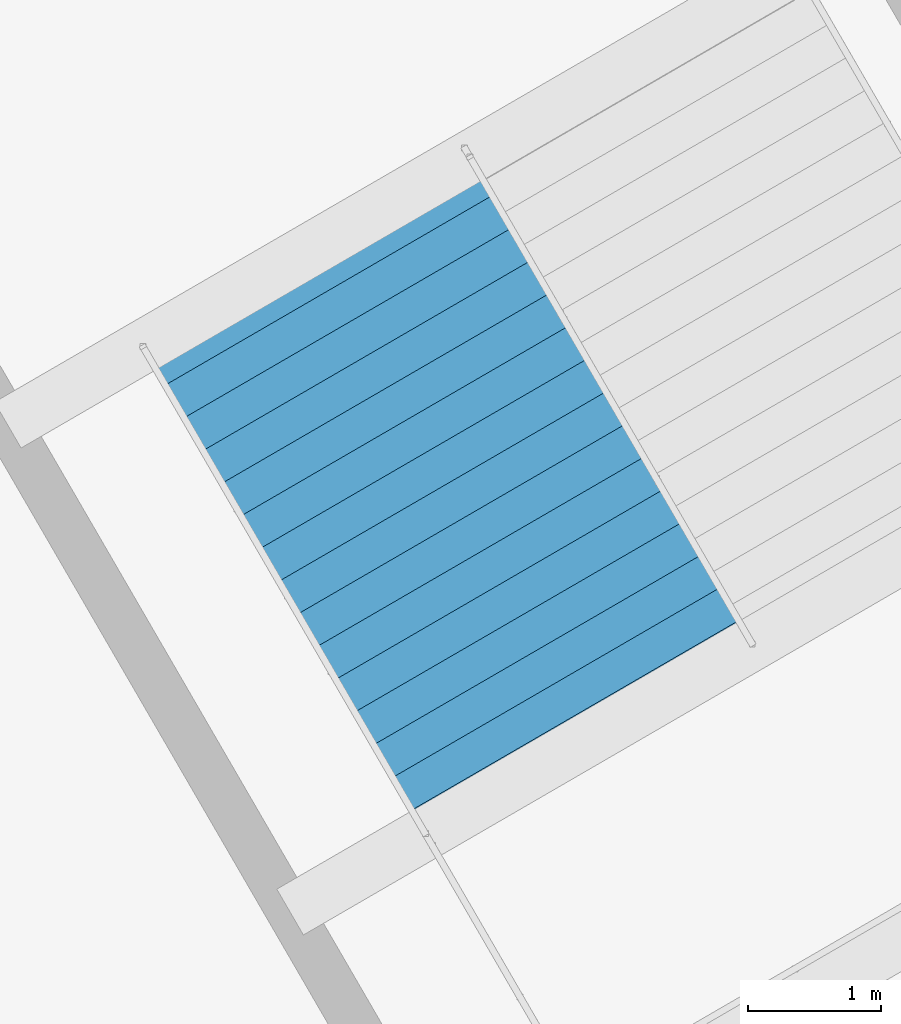
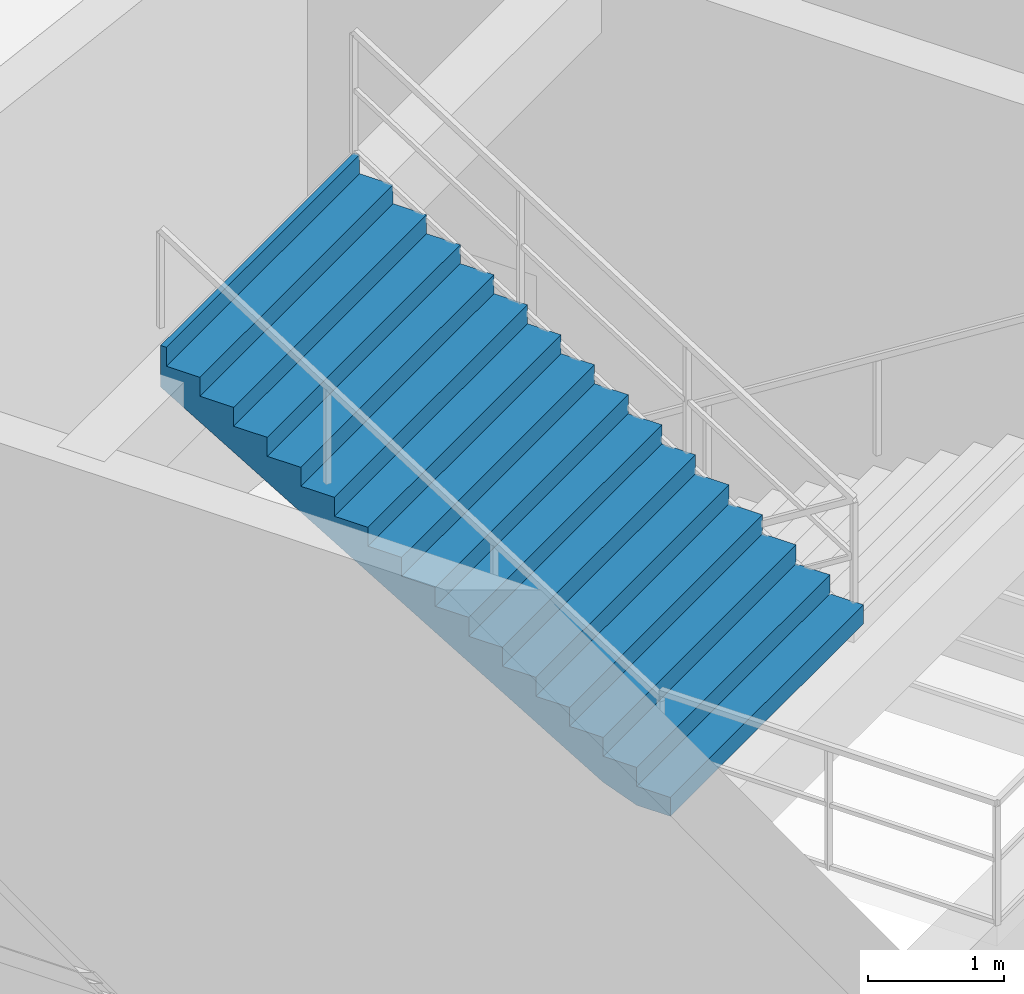
# One storey, part 143 of 186: 1 stair flight, 1 element without a shape of its own.
"""IFC4 building model written with IfcOpenShell, lengths in metres."""

from ifc_helpers import new_model, si_unit, direction, frame, origin, place, context, subcontext, project, spatial, polygons, material, type_object, element, aggregate, save


model = new_model("IFC4")

# Units and contexts
model_context = context("Model", 3, precision=1e-05, world=origin(), true_north=direction((0.0, 1.0)))
body_context = subcontext(model_context, "Body", "Model", "MODEL_VIEW")
ifc_project = project(units=[si_unit("LENGTHUNIT", "METRE"), si_unit("AREAUNIT", "SQUARE_METRE"), si_unit("VOLUMEUNIT", "CUBIC_METRE"), si_unit("PLANEANGLEUNIT", "RADIAN"), si_unit("MASSUNIT", "GRAM", prefix="KILO")], contexts=[model_context])

# Site, building, storey
site_placement = place(None, origin())
site = spatial("IfcSite", under=ifc_project, at=site_placement, CompositionType="ELEMENT")
building_placement = place(site_placement, origin())
building = spatial("IfcBuilding", under=site, at=building_placement, Name="Kazemori Nagisa Stadium", CompositionType="ELEMENT")
storey_placement = place(building_placement, frame((0.0, 0.0, 20.39990234375)))
storey = spatial("IfcBuildingStorey", under=building, at=storey_placement, Name="L04", CompositionType="ELEMENT", Elevation=20.39990234375)

# Stair, stair flight
ifc_material = material(Name="Concrete C36/45 (Fc36)", Category="concrete")
stair_type = type_object("IfcStairType", Name="Stair_CORE_32", PredefinedType="TWO_STRAIGHT_RUN_STAIR", material=ifc_material)
stair_placement = place(storey_placement, origin())
stair = element("IfcStair", 1, at=stair_placement, inside=storey, type_object=stair_type, Name="Exit stair ST09 L04", PredefinedType="TWO_STRAIGHT_RUN_STAIR")
stair_flight_type = type_object("IfcStairFlightType", Name="Flight_CORE_16", PredefinedType="STRAIGHT", material=ifc_material)
stair_flight_placement = place(storey_placement, frame((43.329833984375, 58.31005859375, 2.72021484375), z_axis=(0.0, 0.0, 1.0), x_axis=(-0.501639459067, 0.865076790295, 0.0)))
stair_flight = element("IfcStairFlight", 2, at=stair_flight_placement, type_object=stair_flight_type, Name="Exit stair ST09 L04 flight 2", NumberOfRisers=16, NumberOfTreads=15, PredefinedType="STRAIGHT", RiserHeight=0.17, TreadLength=0.285, context=body_context, shape_type="Tessellation", body=[
    polygons([(0.0, -1.425048828125, 0.0), (0.0, -1.425048828125, 0.169921875), (0.284912109375, -1.425048828125, 0.169921875), (0.284912109375, -1.425048828125, 0.340087890625), (0.570068359375, -1.425048828125, 0.340087890625), (0.570068359375, -1.425048828125, 0.510009765625), (0.85498046875, -1.425048828125, 0.510009765625), (0.85498046875, -1.425048828125, 0.679931640625), (1.139892578125, -1.425048828125, 0.679931640625), (1.139892578125, -1.425048828125, 0.85009765625), (1.425048828125, -1.425048828125, 0.85009765625), (1.425048828125, -1.425048828125, 1.02001953125), (1.7099609375, -1.425048828125, 1.02001953125), (1.7099609375, -1.425048828125, 1.18994140625), (1.9951171875, -1.425048828125, 1.18994140625), (1.9951171875, -1.425048828125, 1.360107421875), (2.280029296875, -1.425048828125, 1.360107421875), (2.280029296875, -1.425048828125, 1.530029296875), (2.56494140625, -1.425048828125, 1.530029296875), (2.56494140625, -1.425048828125, 1.699951171875), (2.85009765625, -1.425048828125, 1.699951171875), (2.85009765625, -1.425048828125, 1.8701171875), (3.135009765625, -1.425048828125, 1.8701171875), (3.135009765625, -1.425048828125, 2.0400390625), (3.419921875, -1.425048828125, 2.0400390625), (3.419921875, -1.425048828125, 2.2099609375), (3.705078125, -1.425048828125, 2.2099609375), (3.705078125, -1.425048828125, 2.3798828125), (3.989990234375, -1.425048828125, 2.3798828125), (3.989990234375, -1.425048828125, 2.550048828125), (4.27490234375, -1.425048828125, 2.550048828125), (4.27490234375, -1.425048828125, 2.719970703125), (4.324951171875, -1.425048828125, 2.719970703125), (4.324951171875, -1.425048828125, 2.346923828125), (4.27490234375, -1.425048828125, 2.317138671875), (3.989990234375, -1.425048828125, 2.147216796875), (3.705078125, -1.425048828125, 1.977294921875), (3.419921875, -1.425048828125, 1.80712890625), (3.135009765625, -1.425048828125, 1.63720703125), (2.85009765625, -1.425048828125, 1.46728515625), (2.56494140625, -1.425048828125, 1.297119140625), (2.280029296875, -1.425048828125, 1.127197265625), (1.9951171875, -1.425048828125, 0.957275390625), (1.7099609375, -1.425048828125, 0.787109375), (1.425048828125, -1.425048828125, 0.6171875), (1.139892578125, -1.425048828125, 0.447265625), (0.85498046875, -1.425048828125, 0.277099609375), (0.570068359375, -1.425048828125, 0.107177734375), (0.284912109375, -1.425048828125, 0.0), (0.0, -0.08544921875, 0.0), (0.0, -0.08544921875, 0.169921875), (0.284912109375, -0.08544921875, 0.169921875), (0.284912109375, -0.08544921875, 0.340087890625), (0.570068359375, -0.08544921875, 0.340087890625), (0.570068359375, -0.08544921875, 0.510009765625), (0.85498046875, -0.08544921875, 0.510009765625), (0.85498046875, -0.08544921875, 0.679931640625), (1.139892578125, -0.08544921875, 0.679931640625), (1.139892578125, -0.08544921875, 0.85009765625), (1.425048828125, -0.08544921875, 0.85009765625), (1.425048828125, -0.08544921875, 1.02001953125), (1.7099609375, -0.08544921875, 1.02001953125), (1.7099609375, -0.08544921875, 1.18994140625), (1.9951171875, -0.08544921875, 1.18994140625), (1.9951171875, -0.08544921875, 1.360107421875), (2.280029296875, -0.08544921875, 1.360107421875), (2.280029296875, -0.08544921875, 1.530029296875), (2.56494140625, -0.08544921875, 1.530029296875), (2.56494140625, -0.08544921875, 1.699951171875), (2.85009765625, -0.08544921875, 1.699951171875), (2.85009765625, -0.08544921875, 1.8701171875), (3.135009765625, -0.08544921875, 1.8701171875), (3.135009765625, -0.08544921875, 2.0400390625), (3.419921875, -0.08544921875, 2.0400390625), (3.419921875, -0.08544921875, 2.2099609375), (3.705078125, -0.08544921875, 2.2099609375), (3.705078125, -0.08544921875, 2.3798828125), (3.989990234375, -0.08544921875, 2.3798828125), (3.989990234375, -0.08544921875, 2.550048828125), (4.27490234375, -0.08544921875, 2.550048828125), (4.27490234375, -0.08544921875, 2.719970703125), (4.324951171875, -0.08544921875, 2.719970703125), (4.324951171875, -0.08544921875, 2.346923828125), (4.27490234375, -0.08544921875, 2.317138671875), (3.989990234375, -0.08544921875, 2.147216796875), (3.705078125, -0.08544921875, 1.977294921875), (3.419921875, -0.08544921875, 1.80712890625), (3.135009765625, -0.08544921875, 1.63720703125), (2.85009765625, -0.08544921875, 1.46728515625), (2.56494140625, -0.08544921875, 1.297119140625), (2.280029296875, -0.08544921875, 1.127197265625), (1.9951171875, -0.08544921875, 0.957275390625), (1.7099609375, -0.08544921875, 0.787109375), (1.425048828125, -0.08544921875, 0.6171875), (1.139892578125, -0.08544921875, 0.447265625), (0.85498046875, -0.08544921875, 0.277099609375), (0.570068359375, -0.08544921875, 0.107177734375), (0.284912109375, -0.08544921875, 0.0), (0.0, 0.0, 0.0), (0.0, 0.0, 0.169921875), (0.284912109375, 0.0, 0.169921875), (0.284912109375, 0.0, 0.340087890625), (0.570068359375, 0.0, 0.340087890625), (0.570068359375, 0.0, 0.510009765625), (0.85498046875, 0.0, 0.510009765625), (0.85498046875, 0.0, 0.679931640625), (1.139892578125, 0.0, 0.679931640625), (1.139892578125, 0.0, 0.85009765625), (1.425048828125, 0.0, 0.85009765625), (1.425048828125, 0.0, 1.02001953125), (1.7099609375, 0.0, 1.02001953125), (1.7099609375, 0.0, 1.18994140625), (1.9951171875, 0.0, 1.18994140625), (1.9951171875, 0.0, 1.360107421875), (2.280029296875, 0.0, 1.360107421875), (2.280029296875, 0.0, 1.530029296875), (2.56494140625, 0.0, 1.530029296875), (2.56494140625, 0.0, 1.699951171875), (2.85009765625, 0.0, 1.699951171875), (2.85009765625, 0.0, 1.8701171875), (3.135009765625, 0.0, 1.8701171875), (3.135009765625, 0.0, 2.0400390625), (3.419921875, 0.0, 2.0400390625), (3.419921875, 0.0, 2.2099609375), (3.705078125, 0.0, 2.2099609375), (3.705078125, 0.0, 2.3798828125), (3.989990234375, 0.0, 2.3798828125), (3.989990234375, 0.0, 2.550048828125), (4.27490234375, 0.0, 2.550048828125), (4.27490234375, 0.0, 2.719970703125), (4.324951171875, 0.0, 2.719970703125), (4.324951171875, 0.0, 2.346923828125), (4.27490234375, 0.0, 2.317138671875), (3.989990234375, 0.0, 2.147216796875), (3.705078125, 0.0, 1.977294921875), (3.419921875, 0.0, 1.80712890625), (3.135009765625, 0.0, 1.63720703125), (2.85009765625, 0.0, 1.46728515625), (2.56494140625, 0.0, 1.297119140625), (2.280029296875, 0.0, 1.127197265625), (1.9951171875, 0.0, 0.957275390625), (1.7099609375, 0.0, 0.787109375), (1.425048828125, 0.0, 0.6171875), (1.139892578125, 0.0, 0.447265625), (0.85498046875, 0.0, 0.277099609375), (0.570068359375, 0.0, 0.107177734375), (0.284912109375, 0.0, 0.0), (0.0, 0.08544921875, 0.0), (0.0, 0.08544921875, 0.169921875), (0.284912109375, 0.08544921875, 0.169921875), (0.284912109375, 0.08544921875, 0.340087890625), (0.570068359375, 0.08544921875, 0.340087890625), (0.570068359375, 0.08544921875, 0.510009765625), (0.85498046875, 0.08544921875, 0.510009765625), (0.85498046875, 0.08544921875, 0.679931640625), (1.139892578125, 0.08544921875, 0.679931640625), (1.139892578125, 0.08544921875, 0.85009765625), (1.425048828125, 0.08544921875, 0.85009765625), (1.425048828125, 0.08544921875, 1.02001953125), (1.7099609375, 0.08544921875, 1.02001953125), (1.7099609375, 0.08544921875, 1.18994140625), (1.9951171875, 0.08544921875, 1.18994140625), (1.9951171875, 0.08544921875, 1.360107421875), (2.280029296875, 0.08544921875, 1.360107421875), (2.280029296875, 0.08544921875, 1.530029296875), (2.56494140625, 0.08544921875, 1.530029296875), (2.56494140625, 0.08544921875, 1.699951171875), (2.85009765625, 0.08544921875, 1.699951171875), (2.85009765625, 0.08544921875, 1.8701171875), (3.135009765625, 0.08544921875, 1.8701171875), (3.135009765625, 0.08544921875, 2.0400390625), (3.419921875, 0.08544921875, 2.0400390625), (3.419921875, 0.08544921875, 2.2099609375), (3.705078125, 0.08544921875, 2.2099609375), (3.705078125, 0.08544921875, 2.3798828125), (3.989990234375, 0.08544921875, 2.3798828125), (3.989990234375, 0.08544921875, 2.550048828125), (4.27490234375, 0.08544921875, 2.550048828125), (4.27490234375, 0.08544921875, 2.719970703125), (4.324951171875, 0.08544921875, 2.719970703125), (4.324951171875, 0.08544921875, 2.346923828125), (4.27490234375, 0.08544921875, 2.317138671875), (3.989990234375, 0.08544921875, 2.147216796875), (3.705078125, 0.08544921875, 1.977294921875), (3.419921875, 0.08544921875, 1.80712890625), (3.135009765625, 0.08544921875, 1.63720703125), (2.85009765625, 0.08544921875, 1.46728515625), (2.56494140625, 0.08544921875, 1.297119140625), (2.280029296875, 0.08544921875, 1.127197265625), (1.9951171875, 0.08544921875, 0.957275390625), (1.7099609375, 0.08544921875, 0.787109375), (1.425048828125, 0.08544921875, 0.6171875), (1.139892578125, 0.08544921875, 0.447265625), (0.85498046875, 0.08544921875, 0.277099609375), (0.570068359375, 0.08544921875, 0.107177734375), (0.284912109375, 0.08544921875, 0.0), (0.0, 1.425048828125, 0.0), (0.0, 1.425048828125, 0.169921875), (0.284912109375, 1.425048828125, 0.169921875), (0.284912109375, 1.425048828125, 0.340087890625), (0.570068359375, 1.425048828125, 0.340087890625), (0.570068359375, 1.425048828125, 0.510009765625), (0.85498046875, 1.425048828125, 0.510009765625), (0.85498046875, 1.425048828125, 0.679931640625), (1.139892578125, 1.425048828125, 0.679931640625), (1.139892578125, 1.425048828125, 0.85009765625), (1.425048828125, 1.425048828125, 0.85009765625), (1.425048828125, 1.425048828125, 1.02001953125), (1.7099609375, 1.425048828125, 1.02001953125), (1.7099609375, 1.425048828125, 1.18994140625), (1.9951171875, 1.425048828125, 1.18994140625), (1.9951171875, 1.425048828125, 1.360107421875), (2.280029296875, 1.425048828125, 1.360107421875), (2.280029296875, 1.425048828125, 1.530029296875), (2.56494140625, 1.425048828125, 1.530029296875), (2.56494140625, 1.425048828125, 1.699951171875), (2.85009765625, 1.425048828125, 1.699951171875), (2.85009765625, 1.425048828125, 1.8701171875), (3.135009765625, 1.425048828125, 1.8701171875), (3.135009765625, 1.425048828125, 2.0400390625), (3.419921875, 1.425048828125, 2.0400390625), (3.419921875, 1.425048828125, 2.2099609375), (3.705078125, 1.425048828125, 2.2099609375), (3.705078125, 1.425048828125, 2.3798828125), (3.989990234375, 1.425048828125, 2.3798828125), (3.989990234375, 1.425048828125, 2.550048828125), (4.27490234375, 1.425048828125, 2.550048828125), (4.27490234375, 1.425048828125, 2.719970703125), (4.324951171875, 1.425048828125, 2.719970703125), (4.324951171875, 1.425048828125, 2.346923828125), (4.27490234375, 1.425048828125, 2.317138671875), (3.989990234375, 1.425048828125, 2.147216796875), (3.705078125, 1.425048828125, 1.977294921875), (3.419921875, 1.425048828125, 1.80712890625), (3.135009765625, 1.425048828125, 1.63720703125), (2.85009765625, 1.425048828125, 1.46728515625), (2.56494140625, 1.425048828125, 1.297119140625), (2.280029296875, 1.425048828125, 1.127197265625), (1.9951171875, 1.425048828125, 0.957275390625), (1.7099609375, 1.425048828125, 0.787109375), (1.425048828125, 1.425048828125, 0.6171875), (1.139892578125, 1.425048828125, 0.447265625), (0.85498046875, 1.425048828125, 0.277099609375), (0.570068359375, 1.425048828125, 0.107177734375), (0.284912109375, 1.425048828125, 0.0)], [[[1, 2, 51]], [[1, 51, 50]], [[2, 3, 52]], [[2, 52, 51]], [[3, 4, 53]], [[3, 53, 52]], [[4, 5, 54]], [[4, 54, 53]], [[5, 6, 55]], [[5, 55, 54]], [[6, 7, 56]], [[6, 56, 55]], [[7, 8, 57]], [[7, 57, 56]], [[8, 9, 58]], [[8, 58, 57]], [[9, 10, 59]], [[9, 59, 58]], [[10, 11, 60]], [[10, 60, 59]], [[11, 12, 61]], [[11, 61, 60]], [[12, 13, 62]], [[12, 62, 61]], [[13, 14, 63]], [[13, 63, 62]], [[14, 15, 64]], [[14, 64, 63]], [[15, 16, 65]], [[15, 65, 64]], [[16, 17, 66]], [[16, 66, 65]], [[17, 18, 67]], [[17, 67, 66]], [[18, 19, 68]], [[18, 68, 67]], [[19, 20, 69]], [[19, 69, 68]], [[20, 21, 70]], [[20, 70, 69]], [[21, 22, 71]], [[21, 71, 70]], [[22, 23, 72]], [[22, 72, 71]], [[23, 24, 73]], [[23, 73, 72]], [[24, 25, 74]], [[24, 74, 73]], [[25, 26, 75]], [[25, 75, 74]], [[26, 27, 76]], [[26, 76, 75]], [[27, 28, 77]], [[27, 77, 76]], [[28, 29, 78]], [[28, 78, 77]], [[29, 30, 79]], [[29, 79, 78]], [[30, 31, 80]], [[30, 80, 79]], [[31, 32, 81]], [[31, 81, 80]], [[32, 33, 82]], [[32, 82, 81]], [[33, 34, 83]], [[33, 83, 82]], [[34, 35, 84]], [[34, 84, 83]], [[35, 36, 85]], [[35, 85, 84]], [[36, 37, 86]], [[36, 86, 85]], [[37, 38, 87]], [[37, 87, 86]], [[38, 39, 88]], [[38, 88, 87]], [[39, 40, 89]], [[39, 89, 88]], [[40, 41, 90]], [[40, 90, 89]], [[41, 42, 91]], [[41, 91, 90]], [[42, 43, 92]], [[42, 92, 91]], [[43, 44, 93]], [[43, 93, 92]], [[44, 45, 94]], [[44, 94, 93]], [[45, 46, 95]], [[45, 95, 94]], [[46, 47, 96]], [[46, 96, 95]], [[47, 48, 97]], [[47, 97, 96]], [[48, 49, 98]], [[48, 98, 97]], [[49, 1, 50]], [[49, 50, 98]], [[50, 51, 100]], [[50, 100, 99]], [[51, 52, 101]], [[51, 101, 100]], [[52, 53, 102]], [[52, 102, 101]], [[53, 54, 103]], [[53, 103, 102]], [[54, 55, 104]], [[54, 104, 103]], [[55, 56, 105]], [[55, 105, 104]], [[56, 57, 106]], [[56, 106, 105]], [[57, 58, 107]], [[57, 107, 106]], [[58, 59, 108]], [[58, 108, 107]], [[59, 60, 109]], [[59, 109, 108]], [[60, 61, 110]], [[60, 110, 109]], [[61, 62, 111]], [[61, 111, 110]], [[62, 63, 112]], [[62, 112, 111]], [[63, 64, 113]], [[63, 113, 112]], [[64, 65, 114]], [[64, 114, 113]], [[65, 66, 115]], [[65, 115, 114]], [[66, 67, 116]], [[66, 116, 115]], [[67, 68, 117]], [[67, 117, 116]], [[68, 69, 118]], [[68, 118, 117]], [[69, 70, 119]], [[69, 119, 118]], [[70, 71, 120]], [[70, 120, 119]], [[71, 72, 121]], [[71, 121, 120]], [[72, 73, 122]], [[72, 122, 121]], [[73, 74, 123]], [[73, 123, 122]], [[74, 75, 124]], [[74, 124, 123]], [[75, 76, 125]], [[75, 125, 124]], [[76, 77, 126]], [[76, 126, 125]], [[77, 78, 127]], [[77, 127, 126]], [[78, 79, 128]], [[78, 128, 127]], [[79, 80, 129]], [[79, 129, 128]], [[80, 81, 130]], [[80, 130, 129]], [[81, 82, 131]], [[81, 131, 130]], [[82, 83, 132]], [[82, 132, 131]], [[83, 84, 133]], [[83, 133, 132]], [[84, 85, 134]], [[84, 134, 133]], [[85, 86, 135]], [[85, 135, 134]], [[86, 87, 136]], [[86, 136, 135]], [[87, 88, 137]], [[87, 137, 136]], [[88, 89, 138]], [[88, 138, 137]], [[89, 90, 139]], [[89, 139, 138]], [[90, 91, 140]], [[90, 140, 139]], [[91, 92, 141]], [[91, 141, 140]], [[92, 93, 142]], [[92, 142, 141]], [[93, 94, 143]], [[93, 143, 142]], [[94, 95, 144]], [[94, 144, 143]], [[95, 96, 145]], [[95, 145, 144]], [[96, 97, 146]], [[96, 146, 145]], [[97, 98, 147]], [[97, 147, 146]], [[98, 50, 99]], [[98, 99, 147]], [[99, 100, 149]], [[99, 149, 148]], [[100, 101, 150]], [[100, 150, 149]], [[101, 102, 151]], [[101, 151, 150]], [[102, 103, 152]], [[102, 152, 151]], [[103, 104, 153]], [[103, 153, 152]], [[104, 105, 154]], [[104, 154, 153]], [[105, 106, 155]], [[105, 155, 154]], [[106, 107, 156]], [[106, 156, 155]], [[107, 108, 157]], [[107, 157, 156]], [[108, 109, 158]], [[108, 158, 157]], [[109, 110, 159]], [[109, 159, 158]], [[110, 111, 160]], [[110, 160, 159]], [[111, 112, 161]], [[111, 161, 160]], [[112, 113, 162]], [[112, 162, 161]], [[113, 114, 163]], [[113, 163, 162]], [[114, 115, 164]], [[114, 164, 163]], [[115, 116, 165]], [[115, 165, 164]], [[116, 117, 166]], [[116, 166, 165]], [[117, 118, 167]], [[117, 167, 166]], [[118, 119, 168]], [[118, 168, 167]], [[119, 120, 169]], [[119, 169, 168]], [[120, 121, 170]], [[120, 170, 169]], [[121, 122, 171]], [[121, 171, 170]], [[122, 123, 172]], [[122, 172, 171]], [[123, 124, 173]], [[123, 173, 172]], [[124, 125, 174]], [[124, 174, 173]], [[125, 126, 175]], [[125, 175, 174]], [[126, 127, 176]], [[126, 176, 175]], [[127, 128, 177]], [[127, 177, 176]], [[128, 129, 178]], [[128, 178, 177]], [[129, 130, 179]], [[129, 179, 178]], [[130, 131, 180]], [[130, 180, 179]], [[131, 132, 181]], [[131, 181, 180]], [[132, 133, 182]], [[132, 182, 181]], [[133, 134, 183]], [[133, 183, 182]], [[134, 135, 184]], [[134, 184, 183]], [[135, 136, 185]], [[135, 185, 184]], [[136, 137, 186]], [[136, 186, 185]], [[137, 138, 187]], [[137, 187, 186]], [[138, 139, 188]], [[138, 188, 187]], [[139, 140, 189]], [[139, 189, 188]], [[140, 141, 190]], [[140, 190, 189]], [[141, 142, 191]], [[141, 191, 190]], [[142, 143, 192]], [[142, 192, 191]], [[143, 144, 193]], [[143, 193, 192]], [[144, 145, 194]], [[144, 194, 193]], [[145, 146, 195]], [[145, 195, 194]], [[146, 147, 196]], [[146, 196, 195]], [[147, 99, 148]], [[147, 148, 196]], [[148, 149, 198]], [[148, 198, 197]], [[149, 150, 199]], [[149, 199, 198]], [[150, 151, 200]], [[150, 200, 199]], [[151, 152, 201]], [[151, 201, 200]], [[152, 153, 202]], [[152, 202, 201]], [[153, 154, 203]], [[153, 203, 202]], [[154, 155, 204]], [[154, 204, 203]], [[155, 156, 205]], [[155, 205, 204]], [[156, 157, 206]], [[156, 206, 205]], [[157, 158, 207]], [[157, 207, 206]], [[158, 159, 208]], [[158, 208, 207]], [[159, 160, 209]], [[159, 209, 208]], [[160, 161, 210]], [[160, 210, 209]], [[161, 162, 211]], [[161, 211, 210]], [[162, 163, 212]], [[162, 212, 211]], [[163, 164, 213]], [[163, 213, 212]], [[164, 165, 214]], [[164, 214, 213]], [[165, 166, 215]], [[165, 215, 214]], [[166, 167, 216]], [[166, 216, 215]], [[167, 168, 217]], [[167, 217, 216]], [[168, 169, 218]], [[168, 218, 217]], [[169, 170, 219]], [[169, 219, 218]], [[170, 171, 220]], [[170, 220, 219]], [[171, 172, 221]], [[171, 221, 220]], [[172, 173, 222]], [[172, 222, 221]], [[173, 174, 223]], [[173, 223, 222]], [[174, 175, 224]], [[174, 224, 223]], [[175, 176, 225]], [[175, 225, 224]], [[176, 177, 226]], [[176, 226, 225]], [[177, 178, 227]], [[177, 227, 226]], [[178, 179, 228]], [[178, 228, 227]], [[179, 180, 229]], [[179, 229, 228]], [[180, 181, 230]], [[180, 230, 229]], [[181, 182, 231]], [[181, 231, 230]], [[182, 183, 232]], [[182, 232, 231]], [[183, 184, 233]], [[183, 233, 232]], [[184, 185, 234]], [[184, 234, 233]], [[185, 186, 235]], [[185, 235, 234]], [[186, 187, 236]], [[186, 236, 235]], [[187, 188, 237]], [[187, 237, 236]], [[188, 189, 238]], [[188, 238, 237]], [[189, 190, 239]], [[189, 239, 238]], [[190, 191, 240]], [[190, 240, 239]], [[191, 192, 241]], [[191, 241, 240]], [[192, 193, 242]], [[192, 242, 241]], [[193, 194, 243]], [[193, 243, 242]], [[194, 195, 244]], [[194, 244, 243]], [[195, 196, 245]], [[195, 245, 244]], [[196, 148, 197]], [[196, 197, 245]], [[3, 2, 1]], [[197, 198, 199]], [[49, 3, 1]], [[197, 199, 245]], [[48, 3, 49]], [[245, 199, 244]], [[5, 3, 48]], [[244, 199, 201]], [[5, 4, 3]], [[199, 200, 201]], [[47, 5, 48]], [[244, 201, 243]], [[7, 5, 47]], [[243, 201, 203]], [[7, 6, 5]], [[201, 202, 203]], [[46, 7, 47]], [[243, 203, 242]], [[9, 7, 46]], [[242, 203, 205]], [[9, 8, 7]], [[203, 204, 205]], [[45, 9, 46]], [[242, 205, 241]], [[11, 9, 45]], [[241, 205, 207]], [[11, 10, 9]], [[205, 206, 207]], [[44, 11, 45]], [[241, 207, 240]], [[13, 11, 44]], [[240, 207, 209]], [[13, 12, 11]], [[207, 208, 209]], [[43, 13, 44]], [[240, 209, 239]], [[15, 13, 43]], [[239, 209, 211]], [[15, 14, 13]], [[209, 210, 211]], [[42, 15, 43]], [[239, 211, 238]], [[17, 15, 42]], [[238, 211, 213]], [[17, 16, 15]], [[211, 212, 213]], [[41, 17, 42]], [[238, 213, 237]], [[19, 17, 41]], [[237, 213, 215]], [[19, 18, 17]], [[213, 214, 215]], [[40, 19, 41]], [[237, 215, 236]], [[21, 19, 40]], [[236, 215, 217]], [[21, 20, 19]], [[215, 216, 217]], [[39, 21, 40]], [[236, 217, 235]], [[23, 21, 39]], [[235, 217, 219]], [[23, 22, 21]], [[217, 218, 219]], [[38, 23, 39]], [[235, 219, 234]], [[25, 23, 38]], [[234, 219, 221]], [[25, 24, 23]], [[219, 220, 221]], [[37, 25, 38]], [[234, 221, 233]], [[27, 25, 37]], [[233, 221, 223]], [[27, 26, 25]], [[221, 222, 223]], [[36, 27, 37]], [[233, 223, 232]], [[29, 27, 36]], [[232, 223, 225]], [[29, 28, 27]], [[223, 224, 225]], [[35, 29, 36]], [[232, 225, 231]], [[31, 29, 35]], [[231, 225, 227]], [[31, 30, 29]], [[225, 226, 227]], [[34, 31, 35]], [[231, 227, 230]], [[33, 31, 34]], [[230, 227, 229]], [[33, 32, 31]], [[227, 228, 229]]], closed=True),
])
aggregate(stair, [stair_flight])

save(model, "model.ifc")
